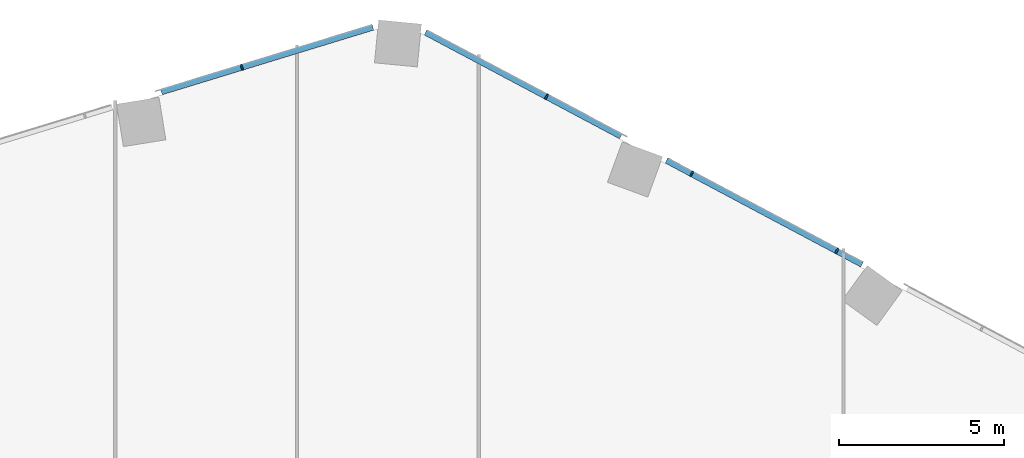
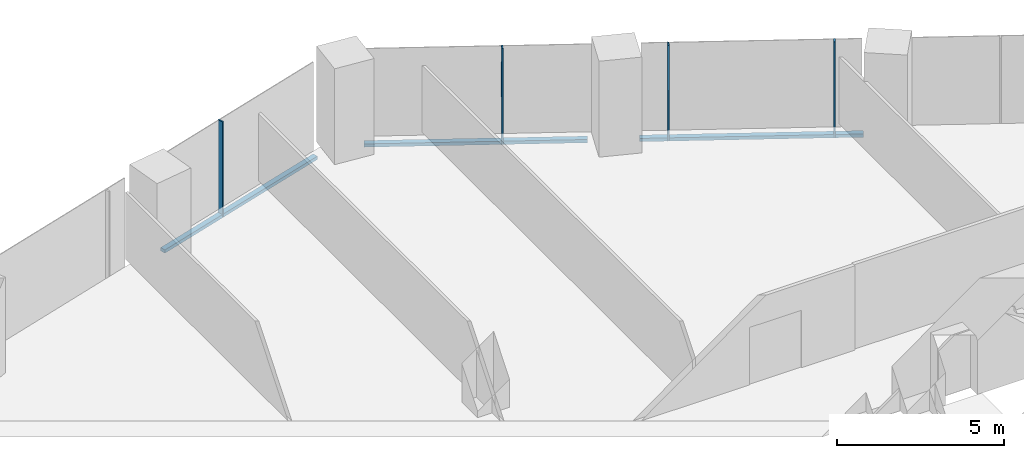
# One storey, part 12 of 31: 7 members, 2 elements without a shape of their own.
"""IFC4 building model written with IfcOpenShell, lengths in metres."""

from ifc_helpers import new_model, si_unit, direction, frame, origin, origin_2d, place, context, subcontext, project, spatial, rectangle, extrude, material, material_profile, profile_set, type_object, element, aggregate, save


model = new_model("IFC4")

# Units and contexts
model_context = context("Model", 3, precision=1e-05, world=origin(), true_north=direction((0.0, 1.0)))
body_context = subcontext(model_context, "Body", "Model", "MODEL_VIEW")
ifc_project = project(units=[si_unit("LENGTHUNIT", "METRE"), si_unit("AREAUNIT", "SQUARE_METRE"), si_unit("VOLUMEUNIT", "CUBIC_METRE"), si_unit("PLANEANGLEUNIT", "RADIAN"), si_unit("MASSUNIT", "GRAM", prefix="KILO")], contexts=[model_context])

# Site, building, storey
site_placement = place(None, origin())
site = spatial("IfcSite", under=ifc_project, at=site_placement, CompositionType="ELEMENT")
building_placement = place(site_placement, origin())
building = spatial("IfcBuilding", under=site, at=building_placement, Name="Orlundy Tower", CompositionType="ELEMENT")
storey_placement = place(building_placement, frame((0.0, 0.0, 91.199951171875)))
storey = spatial("IfcBuildingStorey", under=building, at=storey_placement, Name="L22", CompositionType="ELEMENT", Elevation=91.199951171875)

# Curtain wall, member
ifc_material_1 = material(Name="Aluminium bronze anodised", Category="aluminium")
curtain_wall_type = type_object("IfcCurtainWallType", Name="CW1 wall", PredefinedType="NOTDEFINED", material=ifc_material_1)
curtain_wall_1_placement = place(storey_placement, origin())
curtain_wall_1 = element("IfcCurtainWall", 1, at=curtain_wall_1_placement, inside=storey, type_object=curtain_wall_type, Name="CW1 run 03", PredefinedType="NOTDEFINED")
ifc_material_2 = material(Name="Aluminium bronze anodised", Category="aluminium")
ifc_material_profile_1 = material_profile(ifc_material_2, rectangle(XDim=0.179931640625, YDim=0.050048828125, at=origin_2d()), Name="CW1 mullion 50x180")
ifc_profile_set_1 = profile_set([ifc_material_profile_1], Name="Aluminium bronze anodised")
member_type_1 = type_object("IfcMemberType", Name="CW1 mullion 50x180", PredefinedType="MULLION", material=ifc_profile_set_1)
member_1_placement = place(storey_placement, frame((-1.667724609375, 30.954833984375, -0.39990234375), z_axis=(0.0, 0.0, 1.0), x_axis=(-0.292360624804, 0.956308143364, 0.0)))
member_1 = element("IfcMember", 2, at=member_1_placement, type_object=member_type_1, Name="CW1 mullion 18", PredefinedType="MULLION", context=body_context, shape_type="SweptSolid", body=[
    extrude(rectangle(XDim=0.179931640625, YDim=0.050048828125, at=origin_2d()), origin(), (0.0, 0.0, 1.0), 3.5),
])

# Curtain wall, members
curtain_wall_2_placement = place(storey_placement, origin())
curtain_wall_2 = element("IfcCurtainWall", 3, at=curtain_wall_2_placement, inside=storey, type_object=curtain_wall_type, Name="CW1 run 04", PredefinedType="NOTDEFINED")
member_2_placement = place(storey_placement, frame((7.54296875, 30.068115234375, -0.39990234375), z_axis=(0.0, 0.0, 1.0), x_axis=(0.469445471129, 0.882961465544, 0.0)))
member_2 = element("IfcMember", 4, at=member_2_placement, type_object=member_type_1, Name="CW1 mullion 20", PredefinedType="MULLION", context=body_context, shape_type="SweptSolid", body=[
    extrude(rectangle(XDim=0.179931640625, YDim=0.050048828125, at=origin_2d()), origin(), (0.0, 0.0, 1.0), 3.5),
])
member_3_placement = place(storey_placement, frame((11.931884765625, 27.734619140625, -0.39990234375), z_axis=(0.0, 0.0, 1.0), x_axis=(0.469445471129, 0.882961465544, 0.0)))
member_3 = element("IfcMember", 5, at=member_3_placement, type_object=member_type_1, Name="CW1 mullion 21", PredefinedType="MULLION", context=body_context, shape_type="SweptSolid", body=[
    extrude(rectangle(XDim=0.179931640625, YDim=0.050048828125, at=origin_2d()), origin(), (0.0, 0.0, 1.0), 3.5),
])
member_4_placement = place(storey_placement, frame((16.320556640625, 25.4013671875, -0.39990234375), z_axis=(0.0, 0.0, 1.0), x_axis=(0.469445471129, 0.882961465544, 0.0)))
member_4 = element("IfcMember", 6, at=member_4_placement, type_object=member_type_1, Name="CW1 mullion 22", PredefinedType="MULLION", context=body_context, shape_type="SweptSolid", body=[
    extrude(rectangle(XDim=0.179931640625, YDim=0.050048828125, at=origin_2d()), origin(), (0.0, 0.0, 1.0), 3.5),
])

# Member
ifc_material_3 = material(Name="Aluminium bronze anodised", Category="aluminium")
ifc_material_profile_2 = material_profile(ifc_material_3, rectangle(XDim=0.179931640625, YDim=0.1201171875, at=origin_2d()), Name="CW1 transom 180x120")
ifc_profile_set_2 = profile_set([ifc_material_profile_2], Name="Aluminium bronze anodised")
member_type_2 = type_object("IfcMemberType", Name="CW1 transom 180x120", PredefinedType="USERDEFINED", material=ifc_profile_set_2)
member_5_placement = place(storey_placement, frame((-4.1015625, 30.2109375, -0.33984375), z_axis=(0.956318121775, 0.292327983548, 0.0), x_axis=(-0.292327983548, 0.956318121775, 0.0)))
member_5 = element("IfcMember", 7, at=member_5_placement, type_object=member_type_2, Name="CW1 transom", ObjectType="TRANSOM", PredefinedType="USERDEFINED", context=body_context, shape_type="SweptSolid", body=[
    extrude(rectangle(XDim=0.179931640625, YDim=0.1201171875, at=origin_2d()), origin(), (0.0, 0.0, 1.0), 6.68701171875),
])

aggregate(curtain_wall_1, [member_1, member_5])

member_6_placement = place(storey_placement, frame((3.885986328125, 32.012451171875, -0.33984375), z_axis=(0.882949326186, -0.469468302858, 0.0), x_axis=(0.469468302858, 0.882949326186, 0.0)))
member_6 = element("IfcMember", 8, at=member_6_placement, type_object=member_type_2, Name="CW1 transom", ObjectType="TRANSOM", PredefinedType="USERDEFINED", context=body_context, shape_type="SweptSolid", body=[
    extrude(rectangle(XDim=0.179931640625, YDim=0.1201171875, at=origin_2d()), origin(), (0.0, 0.0, 1.0), 6.689208984375),
])

member_7_placement = place(storey_placement, frame((11.1708984375, 28.13916015625, -0.33984375), z_axis=(0.882974027203, -0.469421843638, 0.0), x_axis=(0.469421843638, 0.882974027203, 0.0)))
member_7 = element("IfcMember", 9, at=member_7_placement, type_object=member_type_2, Name="CW1 transom", ObjectType="TRANSOM", PredefinedType="USERDEFINED", context=body_context, shape_type="SweptSolid", body=[
    extrude(rectangle(XDim=0.179931640625, YDim=0.1201171875, at=origin_2d()), origin(), (0.0, 0.0, 1.0), 6.694580078125),
])

aggregate(curtain_wall_2, [member_2, member_3, member_4, member_6, member_7])

save(model, "model.ifc")
